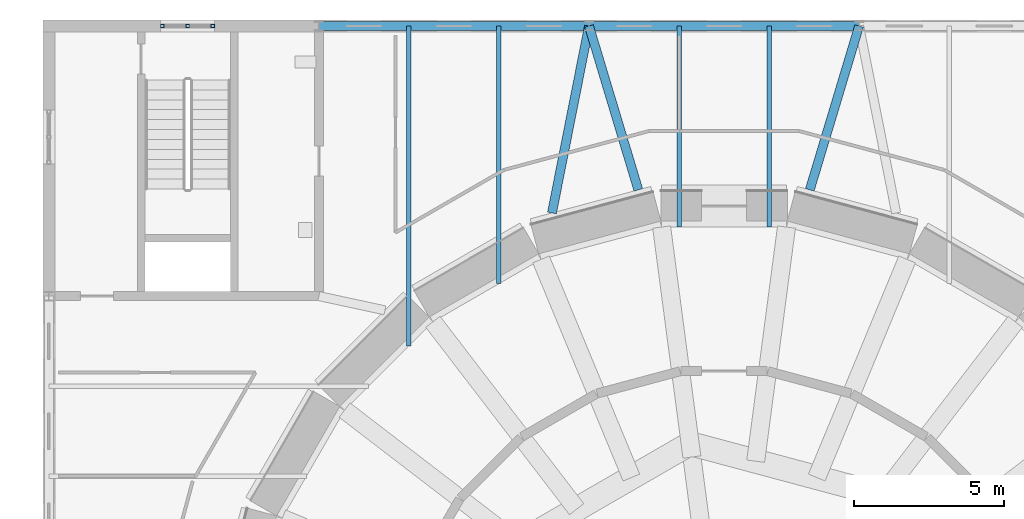
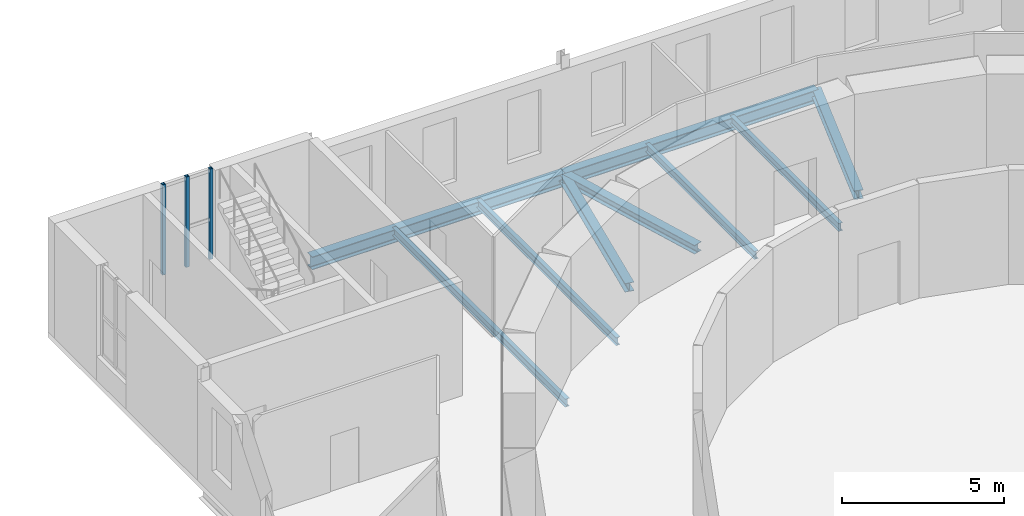
# One storey, part 53 of 131: 9 beams, 3 members, 1 element without a shape of its own.
"""IFC4 building model written with IfcOpenShell, lengths in metres."""

from ifc_helpers import new_model, si_unit, direction, frame, origin, origin_2d, place, context, subcontext, project, spatial, hollow_rectangle, i_section, extrude, material, material_profile, profile_set, type_object, element, aggregate, save


model = new_model("IFC4")

# Units and contexts
model_context = context("Model", 3, precision=1e-05, world=origin(), true_north=direction((0.0, 1.0)))
body_context = subcontext(model_context, "Body", "Model", "MODEL_VIEW")
ifc_project = project(units=[si_unit("LENGTHUNIT", "METRE"), si_unit("AREAUNIT", "SQUARE_METRE"), si_unit("VOLUMEUNIT", "CUBIC_METRE"), si_unit("PLANEANGLEUNIT", "RADIAN"), si_unit("MASSUNIT", "GRAM", prefix="KILO")], contexts=[model_context])

# Site, building, storey
site_placement = place(None, origin())
site = spatial("IfcSite", under=ifc_project, at=site_placement, CompositionType="ELEMENT")
building_placement = place(site_placement, origin())
building = spatial("IfcBuilding", under=site, at=building_placement, Name="Golden Quay Civic Hall", CompositionType="ELEMENT")
storey_placement = place(building_placement, frame((0.0, 0.0, 9.89990234375)))
storey = spatial("IfcBuildingStorey", under=building, at=storey_placement, Name="L02", CompositionType="ELEMENT", Elevation=9.89990234375)

# Curtain wall, members
ifc_material_1 = material(Name="Fire-resisting glass and steel", Category="steel")
curtain_wall_type = type_object("IfcCurtainWallType", Name="Fire-resisting glazed stair curtain wall EI 120", PredefinedType="NOTDEFINED", material=ifc_material_1)
curtain_wall_placement = place(storey_placement, origin())
curtain_wall = element("IfcCurtainWall", 1, at=curtain_wall_placement, inside=storey, type_object=curtain_wall_type, Name="CW4 stair curtain wall", PredefinedType="NOTDEFINED")
ifc_material_2 = material(Name="Steel S355", Category="steel")
ifc_material_profile_1 = material_profile(ifc_material_2, hollow_rectangle(XDim=0.1201171875, YDim=0.1201171875, WallThickness=0.012451171875, at=origin_2d()), Name="SHS 120x120x12.5")
ifc_profile_set_1 = profile_set([ifc_material_profile_1], Name="Steel S355")
member_type = type_object("IfcMemberType", Name="Fire-resisting steel stair mullion 120 x 120", PredefinedType="MULLION", material=ifc_profile_set_1)
member_1_placement = place(storey_placement, frame((66.784912109375, 108.0, 0.900146484375), z_axis=(0.0, 0.0, 1.0), x_axis=(0.0, 1.0, 0.0)))
member_1 = element("IfcMember", 2, at=member_1_placement, type_object=member_type, Name="CW4 mullion 1", PredefinedType="MULLION", context=body_context, shape_type="SweptSolid", body=[
    extrude(hollow_rectangle(XDim=0.1201171875, YDim=0.1201171875, WallThickness=0.012451171875, at=origin_2d()), origin(), (0.0, 0.0, 1.0), 3.39990234375),
])
member_2_placement = place(storey_placement, frame((67.625, 108.0, 0.900146484375), z_axis=(0.0, 0.0, 1.0), x_axis=(0.0, 1.0, 0.0)))
member_2 = element("IfcMember", 3, at=member_2_placement, type_object=member_type, Name="CW4 mullion 2", PredefinedType="MULLION", context=body_context, shape_type="SweptSolid", body=[
    extrude(hollow_rectangle(XDim=0.1201171875, YDim=0.1201171875, WallThickness=0.012451171875, at=origin_2d()), origin(), (0.0, 0.0, 1.0), 3.39990234375),
])
member_3_placement = place(storey_placement, frame((68.465087890625, 108.0, 0.900146484375), z_axis=(0.0, 0.0, 1.0), x_axis=(0.0, 1.0, 0.0)))
member_3 = element("IfcMember", 4, at=member_3_placement, type_object=member_type, Name="CW4 mullion 3", PredefinedType="MULLION", context=body_context, shape_type="SweptSolid", body=[
    extrude(hollow_rectangle(XDim=0.1201171875, YDim=0.1201171875, WallThickness=0.012451171875, at=origin_2d()), origin(), (0.0, 0.0, 1.0), 3.39990234375),
])
aggregate(curtain_wall, [member_1, member_2, member_3])

# Beams
ifc_material_3 = material(Name="Steel S355", Category="steel")
ifc_material_profile_2 = material_profile(ifc_material_3, i_section(OverallWidth=0.300048828125, OverallDepth=0.330078125, WebThickness=0.009521484375, FlangeThickness=0.0166015625, FilletRadius=0.027099609375, at=origin_2d()), Name="HEA 340")
ifc_profile_set_2 = profile_set([ifc_material_profile_2], Name="Steel S355")
beam_type_1 = type_object("IfcBeamType", Name="Steel girder HEA 340", PredefinedType="BEAM", material=ifc_profile_set_2)
beam_1_placement = place(storey_placement, frame((81.0, 108.0, -0.364990234375), z_axis=(0.288184675673, -0.957574849663, 0.0), x_axis=(0.957574849663, 0.288184675673, 0.0)))
element("IfcBeam", 5, at=beam_1_placement, inside=storey, type_object=beam_type_1, Name="Radial girder 5", PredefinedType="BEAM", context=body_context, shape_type="SweptSolid", body=[
    extrude(i_section(OverallWidth=0.300048828125, OverallDepth=0.330078125, WebThickness=0.009521484375, FlangeThickness=0.0166015625, FilletRadius=0.027099609375, at=origin_2d()), origin(), (0.0, 0.0, 1.0), 5.70068359375),
])
beam_2_placement = place(storey_placement, frame((81.0, 108.0, -0.364990234375), z_axis=(-0.194326754683, -0.980936854448, 0.0), x_axis=(0.980936854448, -0.194326754683, 0.0)))
element("IfcBeam", 6, at=beam_2_placement, inside=storey, type_object=beam_type_1, Name="Radial girder 6", PredefinedType="BEAM", context=body_context, shape_type="SweptSolid", body=[
    extrude(i_section(OverallWidth=0.300048828125, OverallDepth=0.330078125, WebThickness=0.009521484375, FlangeThickness=0.0166015625, FilletRadius=0.027099609375, at=origin_2d()), origin(), (0.0, 0.0, 1.0), 6.350830078125),
])
beam_3_placement = place(storey_placement, frame((90.0, 108.0, -0.364990234375), z_axis=(-0.288184675673, -0.957574849663, 0.0), x_axis=(0.957574849663, -0.288184675673, 0.0)))
element("IfcBeam", 7, at=beam_3_placement, inside=storey, type_object=beam_type_1, Name="Radial girder 7", PredefinedType="BEAM", context=body_context, shape_type="SweptSolid", body=[
    extrude(i_section(OverallWidth=0.300048828125, OverallDepth=0.330078125, WebThickness=0.009521484375, FlangeThickness=0.0166015625, FilletRadius=0.027099609375, at=origin_2d()), origin(), (0.0, 0.0, 1.0), 5.70068359375),
])
ifc_material_4 = material(Name="Steel S355", Category="steel")
ifc_material_profile_3 = material_profile(ifc_material_4, i_section(OverallWidth=0.300048828125, OverallDepth=0.489990234375, WebThickness=0.011962890625, FlangeThickness=0.02294921875, FilletRadius=0.027099609375, at=origin_2d()), Name="HEA 500")
ifc_profile_set_3 = profile_set([ifc_material_profile_3], Name="Steel S355")
beam_type_2 = type_object("IfcBeamType", Name="Steel girder HEA 500", PredefinedType="BEAM", material=ifc_profile_set_3)
for number, where, z_axis, x_axis, name in (
    (8, (72.0, 108.0, -0.44482421875), (1.0, 0.0, 0.0), (0.0, 1.0, 0.0), "Perimeter girder 2"),
    (9, (81.0, 108.0, -0.44482421875), (1.0, 0.0, 0.0), (0.0, 1.0, 0.0), "Perimeter girder 6"),
):
    element("IfcBeam", number, at=place(storey_placement, frame(where, z_axis=z_axis, x_axis=x_axis)), inside=storey, type_object=beam_type_2, Name=name, PredefinedType="BEAM", context=body_context, shape_type="SweptSolid", body=[
        extrude(i_section(OverallWidth=0.300048828125, OverallDepth=0.489990234375, WebThickness=0.011962890625, FlangeThickness=0.02294921875, FilletRadius=0.027099609375, at=origin_2d()), origin(), (0.0, 0.0, 1.0), 9.0),
    ])
ifc_material_5 = material(Name="Steel S355", Category="steel")
ifc_material_profile_4 = material_profile(ifc_material_5, i_section(OverallWidth=0.14990234375, OverallDepth=0.300048828125, WebThickness=0.007080078125, FlangeThickness=0.0107421875, FilletRadius=0.014892578125, at=origin_2d()), Name="IPE 300")
ifc_profile_set_4 = profile_set([ifc_material_profile_4], Name="Steel S355")
beam_type_3 = type_object("IfcBeamType", Name="Steel joist IPE 300", PredefinedType="JOIST", material=ifc_profile_set_4)
beam_4_placement = place(storey_placement, frame((75.0, 108.0, -0.349853515625), z_axis=(0.0, -1.0, 0.0), x_axis=(1.0, 0.0, 0.0)))
element("IfcBeam", 10, at=beam_4_placement, inside=storey, type_object=beam_type_3, Name="Floor joist 7", PredefinedType="JOIST", context=body_context, shape_type="SweptSolid", body=[
    extrude(i_section(OverallWidth=0.14990234375, OverallDepth=0.300048828125, WebThickness=0.007080078125, FlangeThickness=0.0107421875, FilletRadius=0.014892578125, at=origin_2d()), origin(), (0.0, 0.0, 1.0), 10.655517578125),
])
beam_5_placement = place(storey_placement, frame((78.0, 108.0, -0.349853515625), z_axis=(0.0, -1.0, 0.0), x_axis=(1.0, 0.0, 0.0)))
element("IfcBeam", 11, at=beam_5_placement, inside=storey, type_object=beam_type_3, Name="Floor joist 8", PredefinedType="JOIST", context=body_context, shape_type="SweptSolid", body=[
    extrude(i_section(OverallWidth=0.14990234375, OverallDepth=0.300048828125, WebThickness=0.007080078125, FlangeThickness=0.0107421875, FilletRadius=0.014892578125, at=origin_2d()), origin(), (0.0, 0.0, 1.0), 8.5859375),
])
for number, where, z_axis, x_axis, name in (
    (12, (84.0, 108.0, -0.349853515625), (0.0, -1.0, 0.0), (1.0, 0.0, 0.0), "Floor joist 9"),
    (13, (87.0, 108.0, -0.349853515625), (0.0, -1.0, 0.0), (1.0, 0.0, 0.0), "Floor joist 10"),
):
    element("IfcBeam", number, at=place(storey_placement, frame(where, z_axis=z_axis, x_axis=x_axis)), inside=storey, type_object=beam_type_3, Name=name, PredefinedType="JOIST", context=body_context, shape_type="SweptSolid", body=[
        extrude(i_section(OverallWidth=0.14990234375, OverallDepth=0.300048828125, WebThickness=0.007080078125, FlangeThickness=0.0107421875, FilletRadius=0.014892578125, at=origin_2d()), origin(), (0.0, 0.0, 1.0), 6.699951171875),
    ])

save(model, "model.ifc")
